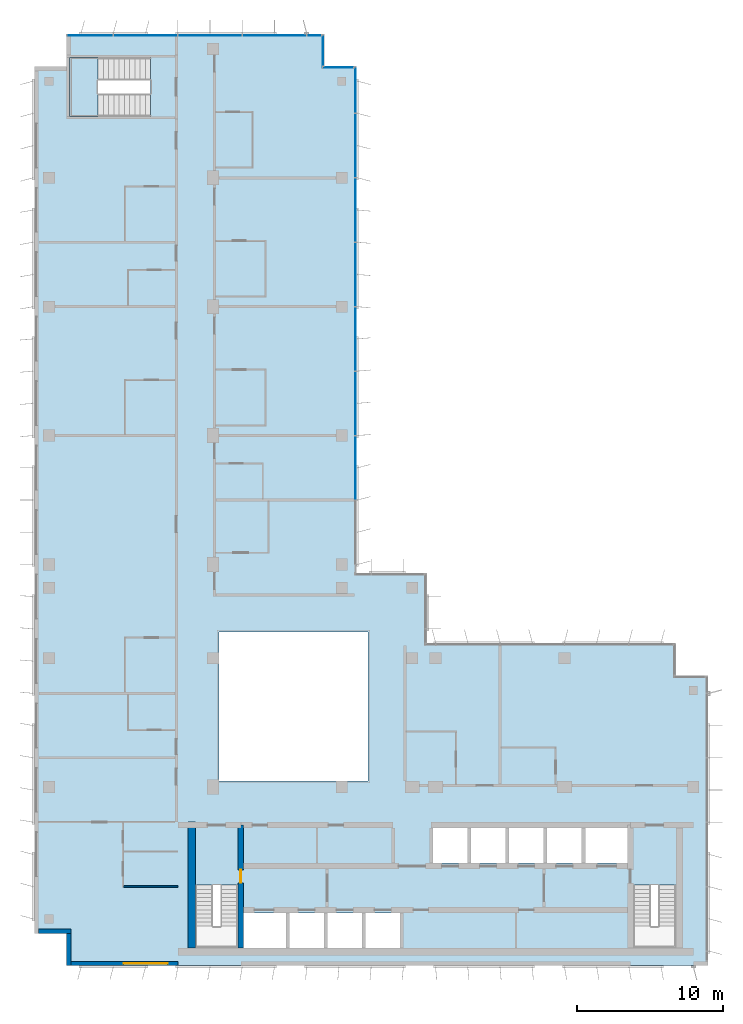
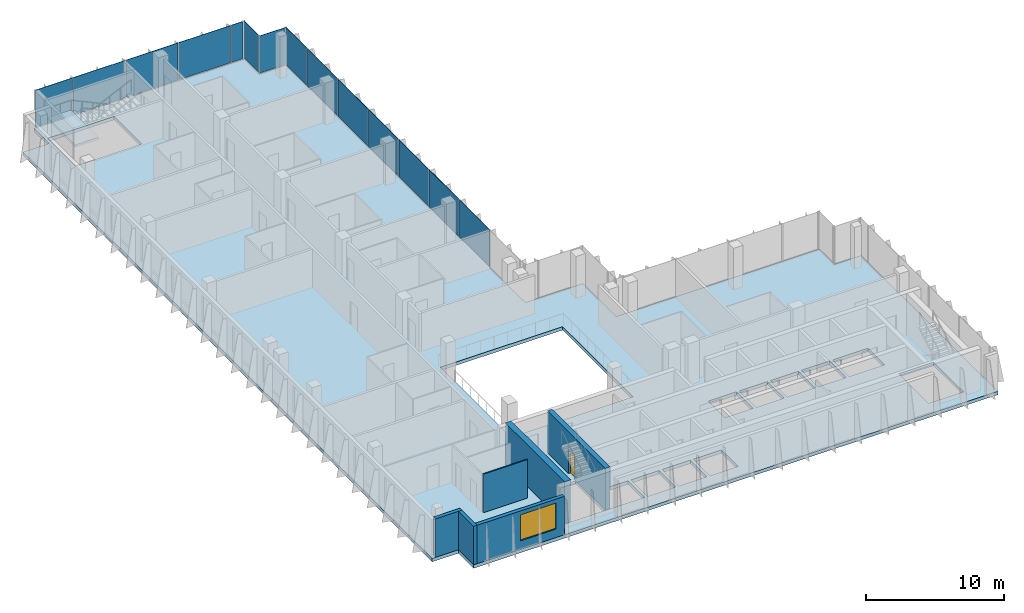
# One storey, part 8 of 15: 14 plates, 6 walls, 2 slabs, 1 door, 1 window, 2 openings, 5 elements without a shape of their own.
"""IFC4 building model written with IfcOpenShell, lengths in metres."""

import ifcopenshell
import ifcopenshell.guid

model = None  # the IFC model being written
_history = None  # IfcOwnerHistory: only IFC2X3 demands one
_inside = {}  # id of a spatial element -> (the spatial element, [elements in it])
_under = {}  # id of a project, library or spatial element -> (it, [spatial elements below it])
_declared = {}  # id of a project -> (the project, [libraries it declares])
_typed = {}  # id of a type object -> (the type object, [elements of that type])
_made_of = {}  # id of a material, layer set ... -> (it, [elements and type objects made of it])


def new_model(schema):
    """Start an empty IFC model of exactly this schema.

    Asked for "IFC4X3", IfcOpenShell would pick the latest addendum, in which some entities
    have other attributes; the version numbers below select the first issue.
    IFC2X3 requires an IfcOwnerHistory on every rooted entity: one is made here for all.
    """
    global model, _history
    if schema == "IFC4X3":
        model = ifcopenshell.file(schema_version=(4, 3, 0, 0))
    else:
        model = ifcopenshell.file(schema=schema)
    _inside.clear()
    _under.clear()
    _declared.clear()
    _typed.clear()
    _made_of.clear()
    _history = None
    if model.schema == "IFC2X3":
        org = make("IfcOrganization", Name="unknown")
        user = make(
            "IfcPersonAndOrganization",
            ThePerson=make("IfcPerson", FamilyName="unknown"),
            TheOrganization=org,
        )
        app = make(
            "IfcApplication",
            ApplicationDeveloper=org,
            Version="unknown",
            ApplicationFullName="unknown",
            ApplicationIdentifier="unknown",
        )
        _history = make(
            "IfcOwnerHistory",
            OwningUser=user,
            OwningApplication=app,
            ChangeAction="ADDED",
            CreationDate=0,
        )
    return model


def make(cls, **values):
    """One entity of the class cls with the attributes given. An attribute that is None is left unset."""
    return model.create_entity(
        cls, **{name: value for name, value in values.items() if value is not None}
    )


def rooted(cls, **values):
    """An entity with a GlobalId (a new one), such as an element, a storey or a relation."""
    return make(cls, GlobalId=ifcopenshell.guid.new(), OwnerHistory=_history, **values)


def si_unit(unit_type, name, prefix=None):
    """IfcSIUnit, for example si_unit("LENGTHUNIT", "METRE", prefix="MILLI")."""
    return make("IfcSIUnit", UnitType=unit_type, Prefix=prefix, Name=name)


def assignment(units):
    """IfcUnitAssignment: the units of a project."""
    return None if units is None else make("IfcUnitAssignment", Units=units)


def point(xyz):
    """IfcCartesianPoint."""
    return None if xyz is None else make("IfcCartesianPoint", Coordinates=xyz)


def direction(xyz):
    """IfcDirection."""
    return None if xyz is None else make("IfcDirection", DirectionRatios=xyz)


def frame(location, z_axis=None, x_axis=None):
    """IfcAxis2Placement3D, a coordinate frame: its origin and axes. An axis left out is left unset."""
    return make(
        "IfcAxis2Placement3D",
        Location=point(location),
        Axis=direction(z_axis),
        RefDirection=direction(x_axis),
    )


def frame_2d(location, x_axis=None):
    """IfcAxis2Placement2D, a coordinate frame in the plane: its origin and x axis."""
    return make(
        "IfcAxis2Placement2D", Location=point(location), RefDirection=direction(x_axis)
    )


def origin():
    """The frame at (0, 0, 0) with its axes left unset."""
    return frame((0.0, 0.0, 0.0))


def origin_2d():
    """The frame at (0, 0) in the plane with its x axis left unset."""
    return frame_2d((0.0, 0.0))


def place(relative_to, where):
    """IfcLocalPlacement: puts the frame where relative to a parent placement (None: the world)."""
    return make(
        "IfcLocalPlacement", PlacementRelTo=relative_to, RelativePlacement=where
    )


def context(
    kind, dimensions, precision=None, world=None, true_north=None, identifier=None
):
    """IfcGeometricRepresentationContext, for example the 3D "Model" context."""
    return make(
        "IfcGeometricRepresentationContext",
        ContextIdentifier=identifier,
        ContextType=kind,
        CoordinateSpaceDimension=dimensions,
        Precision=precision,
        WorldCoordinateSystem=world,
        TrueNorth=true_north,
    )


def subcontext(parent, identifier, kind, view, scale=None):
    """IfcGeometricRepresentationSubContext, for example "Body" below "Model"."""
    return make(
        "IfcGeometricRepresentationSubContext",
        ContextIdentifier=identifier,
        ContextType=kind,
        ParentContext=parent,
        TargetScale=scale,
        TargetView=view,
    )


def project(units=None, contexts=None):
    """IfcProject with its units and contexts."""
    return rooted(
        "IfcProject",
        Name="project",
        RepresentationContexts=contexts,
        UnitsInContext=assignment(units),
    )


def spatial(cls, under=None, at=None, **own):
    """A site, building, storey or space (cls), placed at a placement, below another one or the project."""
    s = rooted(cls, ObjectPlacement=at, **own)
    if under is not None:
        _under.setdefault(under.id(), (under, []))[1].append(s)
    return s


def polyline(points):
    """IfcPolyline through the points."""
    return make("IfcPolyline", Points=[point(p) for p in points])


def profile(cls, at=None, kind="AREA", **sizes):
    """A parametric profile (cls). Its sizes go by their IFC names, for example OverallWidth=200.0."""
    return make(cls, ProfileType=kind, Position=at, **sizes)


def rectangle(**sizes):
    """IfcRectangleProfileDef."""
    return profile("IfcRectangleProfileDef", **sizes)


def outline(outer, holes=None, kind="AREA"):
    """IfcArbitraryClosedProfileDef: a profile drawn as a closed curve; with holes, ...WithVoids."""
    if holes is None:
        return make("IfcArbitraryClosedProfileDef", ProfileType=kind, OuterCurve=outer)
    return make(
        "IfcArbitraryProfileDefWithVoids",
        ProfileType=kind,
        OuterCurve=outer,
        InnerCurves=holes,
    )


def extrude(swept, where, along, depth):
    """IfcExtrudedAreaSolid: the profile swept, set in the frame where, extruded along a direction by depth."""
    return make(
        "IfcExtrudedAreaSolid",
        SweptArea=swept,
        Position=where,
        ExtrudedDirection=direction(along),
        Depth=depth,
    )


def shape(context_of_items, identifier, shape_type, items):
    """IfcShapeRepresentation: the items that make up one representation, for example the "Body"."""
    return make(
        "IfcShapeRepresentation",
        ContextOfItems=context_of_items,
        RepresentationIdentifier=identifier,
        RepresentationType=shape_type,
        Items=items,
    )


def source(mapping_origin, context_of_items, identifier, shape_type, items):
    """IfcRepresentationMap: a shape defined once, which mapped items show again and again."""
    return make(
        "IfcRepresentationMap",
        MappingOrigin=mapping_origin,
        MappedRepresentation=shape(context_of_items, identifier, shape_type, items),
    )


def transform(
    local_origin,
    x_axis=None,
    y_axis=None,
    z_axis=None,
    scale=None,
    scale2=None,
    scale3=None,
    uniform=True,
):
    """IfcCartesianTransformationOperator3D, or its non-uniform kind. x_axis, y_axis, z_axis: its Axis1, 2, 3."""
    if uniform:
        return make(
            "IfcCartesianTransformationOperator3D",
            Axis1=direction(x_axis),
            Axis2=direction(y_axis),
            LocalOrigin=point(local_origin),
            Scale=scale,
            Axis3=direction(z_axis),
        )
    return make(
        "IfcCartesianTransformationOperator3DnonUniform",
        Axis1=direction(x_axis),
        Axis2=direction(y_axis),
        LocalOrigin=point(local_origin),
        Scale=scale,
        Axis3=direction(z_axis),
        Scale2=scale2,
        Scale3=scale3,
    )


def mapped(mapping_source, mapping_target):
    """IfcMappedItem: shows the shape of a source again, moved by a transform."""
    return make(
        "IfcMappedItem", MappingSource=mapping_source, MappingTarget=mapping_target
    )


def material(Name=None, Category=None):
    """IfcMaterial."""
    return make("IfcMaterial", Name=Name, Category=Category)


def layer(
    of_material, thickness, ventilated=None, Name=None, Category=None, Priority=None
):
    """IfcMaterialLayer: one layer of a wall or slab, of a material (None: an air gap)."""
    return make(
        "IfcMaterialLayer",
        Material=of_material,
        LayerThickness=thickness,
        IsVentilated=ventilated,
        Name=Name,
        Category=Category,
        Priority=Priority,
    )


def layer_set(layers, Name=None):
    """IfcMaterialLayerSet."""
    return make("IfcMaterialLayerSet", MaterialLayers=layers, LayerSetName=Name)


def made_of(thing, what):
    """Note that an element or type object is made of a material, layer set ...; save() writes the relation."""
    if what is not None:
        _made_of.setdefault(what.id(), (what, []))[1].append(thing)
    return thing


def type_object(cls, material=None, **own):
    """A type object (cls), such as IfcWallType, which elements share."""
    return made_of(rooted(cls, **own), material)


def element(
    cls,
    number,
    at=None,
    inside=None,
    cuts=None,
    type_object=None,
    material=None,
    context=None,
    identifier="Body",
    shape_type=None,
    held_by="IfcProductDefinitionShape",
    body=None,
    shapes=None,
    **own,
):
    """One element of the class cls, such as IfcWall. Its Tag is "e" and its number.

    at: its placement. inside: the storey or other place that contains it. cuts: it is an
    opening in that element (IfcRelVoidsElement). A single representation is given by context,
    identifier, shape_type and body (its items); several are given by shapes. held_by: the class
    of the entity that holds the representations. save() writes the other relations.
    """
    e = rooted(cls, Tag="e%d" % number, ObjectPlacement=at, **own)
    if body is not None:
        shapes = [shape(context, identifier, shape_type, body)]
    if shapes is not None:
        e.Representation = make(held_by, Representations=shapes)
    if inside is not None:
        _inside.setdefault(inside.id(), (inside, []))[1].append(e)
    if cuts is not None:
        rooted(
            "IfcRelVoidsElement", RelatingBuildingElement=cuts, RelatedOpeningElement=e
        )
    if type_object is not None:
        _typed.setdefault(type_object.id(), (type_object, []))[1].append(e)
    return made_of(e, material)


def fill(opening, filler):
    """IfcRelFillsElement: the door or window that sits in an opening."""
    return rooted(
        "IfcRelFillsElement",
        RelatingOpeningElement=opening,
        RelatedBuildingElement=filler,
    )


def aggregate(whole, parts):
    """IfcRelAggregates: a whole, such as a stair, and the parts it consists of."""
    return rooted("IfcRelAggregates", RelatingObject=whole, RelatedObjects=parts)


def save(model, path):
    """Write the relations noted so far, then the file.

    IfcRelAggregates (storeys below a building ...), IfcRelContainedInSpatialStructure (elements
    in a storey), IfcRelDefinesByType, IfcRelAssociatesMaterial and IfcRelDeclares: one each for
    every whole, place, type object, material and project.
    """
    for whole, parts in _under.values():
        aggregate(whole, parts)
    for where, things in _inside.values():
        rooted(
            "IfcRelContainedInSpatialStructure",
            RelatedElements=things,
            RelatingStructure=where,
        )
    for kind, things in _typed.values():
        rooted("IfcRelDefinesByType", RelatedObjects=things, RelatingType=kind)
    for what, things in _made_of.values():
        rooted("IfcRelAssociatesMaterial", RelatedObjects=things, RelatingMaterial=what)
    for by, libraries in _declared.values():
        rooted("IfcRelDeclares", RelatingContext=by, RelatedDefinitions=libraries)
    model.write(path)


model = new_model("IFC4")

# Units and contexts
model_context = context("Model", 3, precision=1e-05, world=origin(), true_north=direction((0.0, 1.0)))
body_context = subcontext(model_context, "Body", "Model", "MODEL_VIEW")
ifc_project = project(units=[si_unit("LENGTHUNIT", "METRE"), si_unit("AREAUNIT", "SQUARE_METRE"), si_unit("VOLUMEUNIT", "CUBIC_METRE"), si_unit("PLANEANGLEUNIT", "RADIAN"), si_unit("MASSUNIT", "GRAM", prefix="KILO")], contexts=[model_context])

# Site, building, storey
site_placement = place(None, origin())
site = spatial("IfcSite", under=ifc_project, at=site_placement, CompositionType="ELEMENT")
building_placement = place(site_placement, origin())
building = spatial("IfcBuilding", under=site, at=building_placement, Name="Kemantara Hotel Tower", CompositionType="ELEMENT")
storey_placement = place(building_placement, frame((0.0, 0.0, 233.89990234375)))
storey = spatial("IfcBuildingStorey", under=building, at=storey_placement, Name="L58", CompositionType="ELEMENT", Elevation=233.89990234375)

# Slab
ifc_material_1 = material(Name="Concrete fc 40 MPa", Category="concrete")
ifc_layer_1 = layer(ifc_material_1, 0.300048828125)
ifc_layer_set_1 = layer_set([ifc_layer_1], Name="Concrete fc 40 MPa")
slab_type_1 = type_object("IfcSlabType", Name="POST-TENSIONED FLAT PLATE 300", PredefinedType="FLOOR", material=ifc_layer_set_1)
slab_1_placement = place(storey_placement, frame((0.0, 0.0, -0.2998046875)))
element("IfcSlab", 1, at=slab_1_placement, inside=storey, type_object=slab_type_1, Name="FLOOR SLAB L58", PredefinedType="FLOOR", context=body_context, shape_type="SweptSolid", body=[
    extrude(outline(polyline([(22.0, 26.800048828125), (22.0, 61.39990234375), (19.800048828125, 61.39990234375), (19.800048828125, 63.60009765625), (2.199951171875, 63.60009765625), (2.199951171875, 61.39990234375), (0.0, 61.39990234375), (0.0, 2.199951171875), (2.199951171875, 2.199951171875), (2.199951171875, 0.0), (46.0, 0.0), (46.0, 19.800048828125), (43.800048828125, 19.800048828125), (43.800048828125, 22.0), (26.800048828125, 22.0), (26.800048828125, 26.800048828125), (22.0, 26.800048828125)]), holes=[polyline([(17.175048828125, 3.60009765625), (17.175048828125, 1.199951171875), (14.22509765625, 1.199951171875), (14.22509765625, 3.60009765625), (17.175048828125, 3.60009765625)]), polyline([(19.77490234375, 1.199951171875), (17.425048828125, 1.199951171875), (17.425048828125, 3.60009765625), (19.77490234375, 3.60009765625), (19.77490234375, 1.199951171875)]), polyline([(22.375, 1.199951171875), (20.02490234375, 1.199951171875), (20.02490234375, 3.60009765625), (22.375, 3.60009765625), (22.375, 1.199951171875)]), polyline([(24.97509765625, 3.60009765625), (24.97509765625, 1.199951171875), (22.625, 1.199951171875), (22.625, 3.60009765625), (24.97509765625, 3.60009765625)]), polyline([(11.0, 1.199951171875), (11.0, 5.49951171875), (13.89990234375, 5.49951171875), (13.89990234375, 1.199951171875), (11.0, 1.199951171875)]), polyline([(22.800048828125, 12.60009765625), (12.60009765625, 12.60009765625), (12.60009765625, 22.800048828125), (22.800048828125, 22.800048828125), (22.800048828125, 12.60009765625)]), polyline([(2.39990234375, 58.0), (2.39990234375, 62.0), (7.949462890625, 62.0), (7.949462890625, 58.0), (2.39990234375, 58.0)]), polyline([(40.89990234375, 1.199951171875), (40.89990234375, 5.49951171875), (43.800048828125, 5.49951171875), (43.800048828125, 1.199951171875), (40.89990234375, 1.199951171875)]), polyline([(29.574951171875, 7.0), (27.22509765625, 7.0), (27.22509765625, 9.39990234375), (29.574951171875, 9.39990234375), (29.574951171875, 7.0)]), polyline([(32.175048828125, 7.0), (29.824951171875, 7.0), (29.824951171875, 9.39990234375), (32.175048828125, 9.39990234375), (32.175048828125, 7.0)]), polyline([(34.77490234375, 7.0), (32.425048828125, 7.0), (32.425048828125, 9.39990234375), (34.77490234375, 9.39990234375), (34.77490234375, 7.0)]), polyline([(37.375, 7.0), (35.02490234375, 7.0), (35.02490234375, 9.39990234375), (37.375, 9.39990234375), (37.375, 7.0)]), polyline([(40.574951171875, 7.0), (37.625, 7.0), (37.625, 9.39990234375), (40.574951171875, 9.39990234375), (40.574951171875, 7.0)])]), origin(), (0.0, 0.0, 1.0), 0.2998046875),
])

# Stair, slab
stair_type = type_object("IfcStairType", Name="Stair 1550 wide 22 risers of 168 x 360 mm", PredefinedType="HALF_TURN_STAIR", material=ifc_material_1)
stair_placement = place(storey_placement, origin())
stair = element("IfcStair", 2, at=stair_placement, inside=storey, type_object=stair_type, Name="L58 Exit stair ST4", PredefinedType="HALF_TURN_STAIR")
ifc_layer_2 = layer(ifc_material_1, 0.199951171875)
ifc_layer_set_2 = layer_set([ifc_layer_2], Name="Concrete fc 40 MPa")
slab_type_2 = type_object("IfcSlabType", Name="Stair landing 200 mm", PredefinedType="LANDING", material=ifc_layer_set_2)
slab_2_placement = place(storey_placement, frame((0.0, 0.0, 1.650146484375)))
slab_2 = element("IfcSlab", 3, at=slab_2_placement, type_object=slab_type_2, Name="ST4 landing 1", PredefinedType="LANDING", context=body_context, shape_type="SweptSolid", body=[
    extrude(outline(polyline([(4.35009765625, 62.0), (2.39990234375, 62.0), (2.39990234375, 58.0), (4.35009765625, 58.0), (4.35009765625, 62.0)])), origin(), (0.0, 0.0, 1.0), 0.199951171875),
])
aggregate(stair, [slab_2])

# Curtain wall, plates
ifc_material_2 = material(Name="Low-E tinted double insulated glass 36 mm", Category="glass")
curtain_wall_type = type_object("IfcCurtainWallType", Name="TOWER CURTAIN WALL, FRONT FACES", PredefinedType="USERDEFINED", material=ifc_material_2)
curtain_wall_1_placement = place(storey_placement, origin())
curtain_wall_1 = element("IfcCurtainWall", 4, at=curtain_wall_1_placement, inside=storey, type_object=curtain_wall_type, Name="CW4 L58 T4-R02-1", ObjectType="TOWER CURTAIN WALL, FRONT FACES", PredefinedType="USERDEFINED")
ifc_layer_3 = layer(ifc_material_2, 0.035888671875)
ifc_layer_set_3 = layer_set([ifc_layer_3], Name="Low-E tinted double insulated glass 36 mm")
plate_type = type_object("IfcPlateType", Name="TOWER CURTAIN WALL, FRONT FACES PANEL", PredefinedType="CURTAIN_PANEL", material=ifc_layer_set_3)
shared_shape_1 = source(origin(), body_context, "Body", "SweptSolid", [
    extrude(rectangle(XDim=4.340087890625, YDim=0.035888671875, at=origin_2d()), origin(), (0.0, 0.0, 1.0), 3.280029296875),
])
plate_1_placement = place(storey_placement, frame((16.39990234375, 63.52490234375, 0.1201171875), z_axis=(0.0, 0.0, 1.0), x_axis=(-1.0, 0.0, 0.0)))
plate_1 = element("IfcPlate", 5, at=plate_1_placement, type_object=plate_type, Name="CW4 glass panel T4-R02-1.2", PredefinedType="CURTAIN_PANEL", context=body_context, shape_type="MappedRepresentation", body=[
    mapped(shared_shape_1, transform((0.0, 0.0, 0.0))),
])
plate_2_placement = place(storey_placement, frame((12.0, 63.52490234375, 0.1201171875), z_axis=(0.0, 0.0, 1.0), x_axis=(-1.0, 0.0, 0.0)))
plate_2 = element("IfcPlate", 6, at=plate_2_placement, type_object=plate_type, Name="CW4 glass panel T4-R02-1.3", PredefinedType="CURTAIN_PANEL", context=body_context, shape_type="MappedRepresentation", body=[
    mapped(shared_shape_1, transform((0.0, 0.0, 0.0))),
])
plate_3_placement = place(storey_placement, frame((7.60009765625, 63.52490234375, 0.1201171875), z_axis=(0.0, 0.0, 1.0), x_axis=(-1.0, 0.0, 0.0)))
plate_3 = element("IfcPlate", 7, at=plate_3_placement, type_object=plate_type, Name="CW4 glass panel T4-R02-1.4", PredefinedType="CURTAIN_PANEL", context=body_context, shape_type="MappedRepresentation", body=[
    mapped(shared_shape_1, transform((0.0, 0.0, 0.0))),
])

curtain_wall_2_placement = place(storey_placement, origin())
curtain_wall_2 = element("IfcCurtainWall", 8, at=curtain_wall_2_placement, inside=storey, type_object=curtain_wall_type, Name="CW4 L58 T4-R15-1", ObjectType="TOWER CURTAIN WALL, FRONT FACES", PredefinedType="USERDEFINED")
plate_4_placement = place(storey_placement, frame((21.925048828125, 34.0, 0.1201171875), z_axis=(0.0, 0.0, 1.0), x_axis=(0.0, 1.0, 0.0)))
plate_4 = element("IfcPlate", 9, at=plate_4_placement, type_object=plate_type, Name="CW4 glass panel T4-R15-1.3", PredefinedType="CURTAIN_PANEL", context=body_context, shape_type="MappedRepresentation", body=[
    mapped(shared_shape_1, transform((0.0, 0.0, 0.0))),
])
plate_5_placement = place(storey_placement, frame((21.925048828125, 38.39990234375, 0.1201171875), z_axis=(0.0, 0.0, 1.0), x_axis=(0.0, 1.0, 0.0)))
plate_5 = element("IfcPlate", 10, at=plate_5_placement, type_object=plate_type, Name="CW4 glass panel T4-R15-1.4", PredefinedType="CURTAIN_PANEL", context=body_context, shape_type="MappedRepresentation", body=[
    mapped(shared_shape_1, transform((0.0, 0.0, 0.0))),
])
plate_6_placement = place(storey_placement, frame((21.925048828125, 42.800048828125, 0.1201171875), z_axis=(0.0, 0.0, 1.0), x_axis=(0.0, 1.0, 0.0)))
plate_6 = element("IfcPlate", 11, at=plate_6_placement, type_object=plate_type, Name="CW4 glass panel T4-R15-1.5", PredefinedType="CURTAIN_PANEL", context=body_context, shape_type="MappedRepresentation", body=[
    mapped(shared_shape_1, transform((0.0, 0.0, 0.0))),
])
plate_7_placement = place(storey_placement, frame((21.925048828125, 47.199951171875, 0.1201171875), z_axis=(0.0, 0.0, 1.0), x_axis=(0.0, 1.0, 0.0)))
plate_7 = element("IfcPlate", 12, at=plate_7_placement, type_object=plate_type, Name="CW4 glass panel T4-R15-1.6", PredefinedType="CURTAIN_PANEL", context=body_context, shape_type="MappedRepresentation", body=[
    mapped(shared_shape_1, transform((0.0, 0.0, 0.0))),
])
plate_8_placement = place(storey_placement, frame((21.925048828125, 51.60009765625, 0.1201171875), z_axis=(0.0, 0.0, 1.0), x_axis=(0.0, 1.0, 0.0)))
plate_8 = element("IfcPlate", 13, at=plate_8_placement, type_object=plate_type, Name="CW4 glass panel T4-R15-1.7", PredefinedType="CURTAIN_PANEL", context=body_context, shape_type="MappedRepresentation", body=[
    mapped(shared_shape_1, transform((0.0, 0.0, 0.0))),
])
plate_9_placement = place(storey_placement, frame((21.925048828125, 56.0, 0.1201171875), z_axis=(0.0, 0.0, 1.0), x_axis=(0.0, 1.0, 0.0)))
plate_9 = element("IfcPlate", 14, at=plate_9_placement, type_object=plate_type, Name="CW4 glass panel T4-R15-1.8", PredefinedType="CURTAIN_PANEL", context=body_context, shape_type="MappedRepresentation", body=[
    mapped(shared_shape_1, transform((0.0, 0.0, 0.0))),
])

# Plate
shared_shape_2 = source(origin(), body_context, "Body", "SweptSolid", [
    extrude(rectangle(XDim=3.110107421875, YDim=0.035888671875, at=origin_2d()), origin(), (0.0, 0.0, 1.0), 3.280029296875),
])
plate_10_placement = place(storey_placement, frame((3.81494140625, 63.52490234375, 0.1201171875), z_axis=(0.0, 0.0, 1.0), x_axis=(-1.0, 0.0, 0.0)))
plate_10 = element("IfcPlate", 15, at=plate_10_placement, type_object=plate_type, Name="CW4 glass panel T4-R02-1.5", PredefinedType="CURTAIN_PANEL", context=body_context, shape_type="MappedRepresentation", body=[
    mapped(shared_shape_2, transform((0.0, 0.0, 0.0))),
])

plate_11_placement = place(storey_placement, frame((21.925048828125, 59.784912109375, 0.1201171875), z_axis=(0.0, 0.0, 1.0), x_axis=(0.0, 1.0, 0.0)))
plate_11 = element("IfcPlate", 16, at=plate_11_placement, type_object=plate_type, Name="CW4 glass panel T4-R15-1.9", PredefinedType="CURTAIN_PANEL", context=body_context, shape_type="MappedRepresentation", body=[
    mapped(shared_shape_2, transform((0.0, 0.0, 0.0))),
])

aggregate(curtain_wall_2, [plate_4, plate_5, plate_6, plate_7, plate_8, plate_9, plate_11])

# Curtain wall, plate
curtain_wall_3_placement = place(storey_placement, origin())
curtain_wall_3 = element("IfcCurtainWall", 17, at=curtain_wall_3_placement, inside=storey, type_object=curtain_wall_type, Name="CW4 L58 T4-R00-1", ObjectType="TOWER CURTAIN WALL, FRONT FACES", PredefinedType="USERDEFINED")
shared_shape_3 = source(origin(), body_context, "Body", "SweptSolid", [
    extrude(rectangle(XDim=2.080078125, YDim=0.035888671875, at=origin_2d()), origin(), (0.0, 0.0, 1.0), 3.280029296875),
])
plate_12_placement = place(storey_placement, frame((20.75, 61.324951171875, 0.1201171875), z_axis=(0.0, 0.0, 1.0), x_axis=(-1.0, 0.0, 0.0)))
plate_12 = element("IfcPlate", 18, at=plate_12_placement, type_object=plate_type, Name="CW4 glass panel T4-R00-1.1", PredefinedType="CURTAIN_PANEL", context=body_context, shape_type="MappedRepresentation", body=[
    mapped(shared_shape_3, transform((0.0, 0.0, 0.0))),
])
aggregate(curtain_wall_3, [plate_12])

curtain_wall_4_placement = place(storey_placement, origin())
curtain_wall_4 = element("IfcCurtainWall", 19, at=curtain_wall_4_placement, inside=storey, type_object=curtain_wall_type, Name="CW4 L58 T4-R01-1", ObjectType="TOWER CURTAIN WALL, FRONT FACES", PredefinedType="USERDEFINED")
plate_13_placement = place(storey_placement, frame((19.72509765625, 62.5, 0.1201171875), z_axis=(0.0, 0.0, 1.0), x_axis=(0.0, 1.0, 0.0)))
plate_13 = element("IfcPlate", 20, at=plate_13_placement, type_object=plate_type, Name="CW4 glass panel T4-R01-1.1", PredefinedType="CURTAIN_PANEL", context=body_context, shape_type="MappedRepresentation", body=[
    mapped(shared_shape_3, transform((0.0, 0.0, 0.0))),
])
aggregate(curtain_wall_4, [plate_13])

# Plate
shared_shape_4 = source(origin(), body_context, "Body", "SweptSolid", [
    extrude(rectangle(XDim=0.9599609375, YDim=0.035888671875, at=origin_2d()), origin(), (0.0, 0.0, 1.0), 3.280029296875),
])
plate_14_placement = place(storey_placement, frame((19.110107421875, 63.52490234375, 0.1201171875), z_axis=(0.0, 0.0, 1.0), x_axis=(-1.0, 0.0, 0.0)))
plate_14 = element("IfcPlate", 21, at=plate_14_placement, type_object=plate_type, Name="CW4 glass panel T4-R02-1.1", PredefinedType="CURTAIN_PANEL", context=body_context, shape_type="MappedRepresentation", body=[
    mapped(shared_shape_4, transform((0.0, 0.0, 0.0))),
])

aggregate(curtain_wall_1, [plate_14, plate_1, plate_2, plate_3, plate_10])

# Walls
ifc_material_3 = material(Name="Bronze anodised aluminium cladding on insulated steel stud wall", Category="steel")
ifc_layer_4 = layer(ifc_material_3, 0.300048828125)
ifc_layer_set_4 = layer_set([ifc_layer_4], Name="Bronze anodised aluminium cladding on insulated steel stud wall")
wall_type_1 = type_object("IfcWallType", Name="BRONZE METAL-CLAD EXTERNAL WALL 300", PredefinedType="STANDARD", material=ifc_layer_set_4)
for number, where, z_axis, x_axis, name in (
    (22, (0.300048828125, 2.35009765625, 0.0), (0.0, 0.0, 1.0), (1.0, 0.0, 0.0), "EXTERNAL WALL L58 T4-R06"),
    (23, (2.35009765625, 2.199951171875, 0.0), (0.0, 0.0, 1.0), (0.0, -1.0, 0.0), "EXTERNAL WALL L58 T4-R07"),
):
    element("IfcWall", number, at=place(storey_placement, frame(where, z_axis=z_axis, x_axis=x_axis)), inside=storey, type_object=wall_type_1, Name=name, PredefinedType="STANDARD", context=body_context, shape_type="SweptSolid", body=[
        extrude(rectangle(XDim=2.199951171875, YDim=0.300048828125, at=frame_2d((1.10009765625, 0.0))), origin(), (0.0, 0.0, 1.0), 3.400146484375),
    ])

# Wall, opening, window
wall_1_placement = place(storey_placement, frame((2.5, 0.14990234375, 0.0), z_axis=(0.0, 0.0, 1.0), x_axis=(1.0, 0.0, 0.0)))
wall_1 = element("IfcWall", 24, at=wall_1_placement, inside=storey, type_object=wall_type_1, Name="EXTERNAL WALL L58 T4-R08", PredefinedType="STANDARD", context=body_context, shape_type="SweptSolid", body=[
    extrude(rectangle(XDim=7.300048828125, YDim=0.300048828125, at=frame_2d((3.64990234375, 0.0))), origin(), (0.0, 0.0, 1.0), 3.400146484375),
])
opening_1_placement = place(wall_1_placement, frame((3.60009765625, 0.0, 0.75)))
opening_1 = element("IfcOpeningElement", 25, at=opening_1_placement, cuts=wall_1, Name="Opening W1", PredefinedType="OPENING", context=body_context, shape_type="SweptSolid", body=[
    extrude(rectangle(XDim=3.0, YDim=2.300048828125, at=frame_2d((1.5, 1.14990234375))), frame((0.0, 0.159912109375, 0.0), z_axis=(0.0, -1.0, 0.0), x_axis=(1.0, 0.0, 0.0)), (0.0, 0.0, 1.0), 0.320068359375),
])
ifc_material_4 = material(Name="Low-E tinted double insulated glass in bronze anodised aluminium frame", Category="aluminium")
window_type = type_object("IfcWindowType", Name="CHICAGO WINDOW, TRIPLE PANEL 3000x2300", PartitioningType="TRIPLE_PANEL_VERTICAL", PredefinedType="WINDOW", material=ifc_material_4)
window_placement = place(opening_1_placement, origin())
window = element("IfcWindow", 26, at=window_placement, inside=storey, type_object=window_type, Name="CHICAGO WINDOW L58 T4-R08-54", OverallHeight=2.300048828125, OverallWidth=3.0, PartitioningType="SINGLE_PANEL", PredefinedType="WINDOW", context=body_context, shape_type="SweptSolid", body=[
    extrude(rectangle(XDim=3.0, YDim=2.300048828125, at=frame_2d((1.5, 1.14990234375))), frame((0.0, 0.030029296875, 0.0), z_axis=(0.0, -1.0, 0.0), x_axis=(1.0, 0.0, 0.0)), (0.0, 0.0, 1.0), 0.06005859375),
])
fill(opening_1, window)

# Wall, opening, door
ifc_material_5 = material(Name="Concrete fc 60 MPa", Category="concrete")
ifc_layer_5 = layer(ifc_material_5, 0.39990234375)
ifc_layer_set_5 = layer_set([ifc_layer_5], Name="Concrete fc 60 MPa")
wall_type_2 = type_object("IfcWallType", Name="CORE WALL 400 FC60", PredefinedType="SHEAR", material=ifc_layer_set_5)
wall_2_placement = place(storey_placement, frame((14.10009765625, 1.199951171875, 0.0), z_axis=(0.0, 0.0, 1.0), x_axis=(0.0, 1.0, 0.0)))
wall_2 = element("IfcWall", 27, at=wall_2_placement, inside=storey, type_object=wall_type_2, Name="CORE WALL CW-ST1E", PredefinedType="SHEAR", context=body_context, shape_type="SweptSolid", body=[
    extrude(rectangle(XDim=8.400146484375, YDim=0.39990234375, at=frame_2d((4.2001953125, 0.0))), origin(), (0.0, 0.0, 1.0), 3.7001953125),
])
opening_2_placement = place(wall_2_placement, frame((4.449951171875, 0.0, 0.0)))
opening_2 = element("IfcOpeningElement", 28, at=opening_2_placement, cuts=wall_2, Name="Opening C35-ST1-F", PredefinedType="OPENING", context=body_context, shape_type="SweptSolid", body=[
    extrude(rectangle(XDim=0.89990234375, YDim=2.10009765625, at=frame_2d((0.449951171875, 1.050048828125))), frame((0.0, 0.2099609375, 0.0), z_axis=(0.0, -1.0, 0.0), x_axis=(1.0, 0.0, 0.0)), (0.0, 0.0, 1.0), 0.419921875),
])
ifc_material_6 = material(Name="Steel fire door", Category="steel")
door_type = type_object("IfcDoorType", Name="Fire door FD90 900 x 2100", OperationType="NOTDEFINED", PredefinedType="DOOR", material=ifc_material_6)
door_placement = place(opening_2_placement, origin())
door = element("IfcDoor", 29, at=door_placement, inside=storey, type_object=door_type, Name="Stair ST1 door to firefighting lobby", OperationType="SINGLE_SWING_RIGHT", OverallHeight=2.10009765625, OverallWidth=0.89990234375, PredefinedType="DOOR", context=body_context, shape_type="SweptSolid", body=[
    extrude(rectangle(XDim=0.89990234375, YDim=2.10009765625, at=frame_2d((0.449951171875, 1.050048828125))), frame((0.0, 0.02490234375, 0.0), z_axis=(0.0, -1.0, 0.0), x_axis=(1.0, 0.0, 0.0)), (0.0, 0.0, 1.0), 0.050048828125),
])
fill(opening_2, door)

# Walls
ifc_layer_6 = layer(ifc_material_5, 0.5)
ifc_layer_set_6 = layer_set([ifc_layer_6], Name="Concrete fc 60 MPa")
wall_type_3 = type_object("IfcWallType", Name="CORE WALL 500 FC60", PredefinedType="SHEAR", material=ifc_layer_set_6)
wall_3_placement = place(storey_placement, frame((10.75, 1.199951171875, 0.0), z_axis=(0.0, 0.0, 1.0), x_axis=(0.0, 1.0, 0.0)))
element("IfcWall", 30, at=wall_3_placement, inside=storey, type_object=wall_type_3, Name="CORE WALL CW-W", PredefinedType="SHEAR", context=body_context, shape_type="SweptSolid", body=[
    extrude(rectangle(XDim=8.60009765625, YDim=0.5, at=frame_2d((4.300048828125, 0.0))), origin(), (0.0, 0.0, 1.0), 3.7001953125),
])
ifc_material_7 = material(Name="Gypsum board partition on steel studs, 100 mm", Category="steel")
ifc_layer_7 = layer(ifc_material_7, 0.10009765625)
ifc_layer_set_7 = layer_set([ifc_layer_7], Name="Gypsum board partition on steel studs, 100 mm")
wall_type_4 = type_object("IfcWallType", Name="ROOM PARTITION 100", PredefinedType="PARTITIONING", material=ifc_layer_set_7)
wall_4_placement = place(storey_placement, frame((6.10009765625, 5.39990234375, 0.0), z_axis=(0.0, 0.0, 1.0), x_axis=(1.0, 0.0, 0.0)))
element("IfcWall", 31, at=wall_4_placement, inside=storey, type_object=wall_type_4, Name="ROOM PARTITION 100 029", PredefinedType="PARTITIONING", context=body_context, shape_type="SweptSolid", body=[
    extrude(rectangle(XDim=3.69970703125, YDim=0.10009765625, at=frame_2d((1.849853515625, 0.0))), origin(), (0.0, 0.0, 1.0), 3.400146484375),
])

save(model, "model.ifc")
